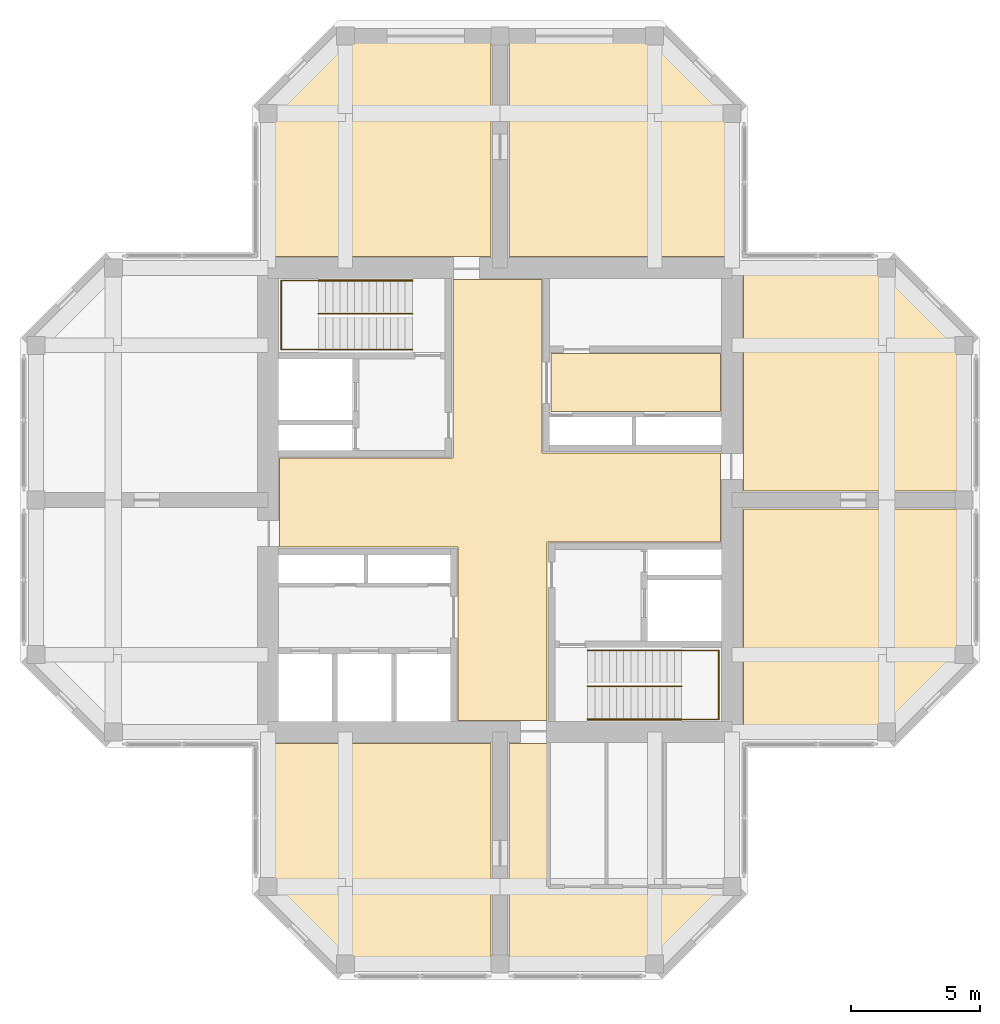
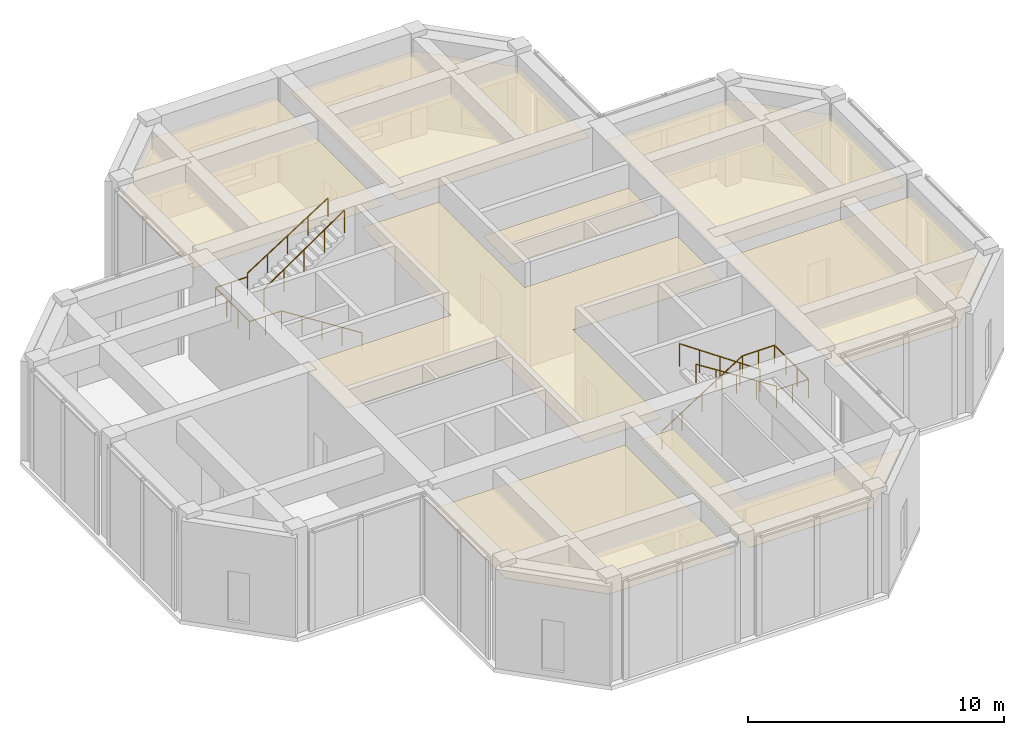
# One storey, part 8 of 8: 8 coverings, 6 railings.
"""IFC4 building model written with IfcOpenShell, lengths in metres."""

from ifc_helpers import new_model, si_unit, direction, frame, origin, origin_2d, place, context, subcontext, project, spatial, polyline, circle, outline, extrude, material, layer, layer_set, type_object, element, save


model = new_model("IFC4")

# Units and contexts
model_context = context("Model", 3, precision=1e-05, world=origin(), true_north=direction((0.0, 1.0)))
body_context = subcontext(model_context, "Body", "Model", "MODEL_VIEW")
ifc_project = project(units=[si_unit("LENGTHUNIT", "METRE"), si_unit("AREAUNIT", "SQUARE_METRE"), si_unit("VOLUMEUNIT", "CUBIC_METRE"), si_unit("PLANEANGLEUNIT", "RADIAN"), si_unit("MASSUNIT", "GRAM", prefix="KILO")], contexts=[model_context])

# Site, building, storey
site_placement = place(None, origin())
site = spatial("IfcSite", under=ifc_project, at=site_placement, CompositionType="ELEMENT")
building_placement = place(site_placement, origin())
building = spatial("IfcBuilding", under=site, at=building_placement, Name="Torre Cruceta", CompositionType="ELEMENT")
storey_placement = place(building_placement, frame((0.0, 0.0, 288.300048828125)))
storey = spatial("IfcBuildingStorey", under=building, at=storey_placement, Name="L75", CompositionType="ELEMENT", Elevation=288.300048828125)

# Railings
ifc_material_1 = material(Name="Stainless steel 1.4401", Category="steel")
railing_type_1 = type_object("IfcRailingType", Name="HANDRAIL 900", PredefinedType="HANDRAIL", material=ifc_material_1)
railing_1_placement = place(storey_placement, frame((-3.39990234375, 5.8349609375, 0.178466796875)))
element("IfcRailing", 1, at=railing_1_placement, inside=storey, type_object=railing_type_1, Name="Handrail HR1 ST1 L75", PredefinedType="HANDRAIL", context=body_context, shape_type="SweptSolid", body=[
    extrude(circle(Radius=0.02392578125, at=origin_2d()), frame((0.0, 0.0, 0.8759765625), z_axis=(-0.843127859045, 0.0, 0.537713132908), x_axis=(0.0, -1.0, 0.0)), (0.0, 0.0, 1.0), 4.3173828125),
    extrude(circle(Radius=0.02392578125, at=origin_2d()), frame((-3.64013671875, 0.0, 3.197265625), z_axis=(-1.0, 0.0, 0.0), x_axis=(0.0, -1.0, 0.0)), (0.0, 0.0, 1.0), 1.449951171875),
    extrude(circle(Radius=0.02392578125, at=origin_2d()), frame((-5.090087890625, 0.0, 3.197265625), z_axis=(0.0, 1.0, 0.0), x_axis=(-1.0, 0.0, 0.0)), (0.0, 0.0, 1.0), 2.679931640625),
    extrude(circle(Radius=0.02392578125, at=origin_2d()), frame((-5.090087890625, 2.679931640625, 3.197265625), z_axis=(1.0, 0.0, 0.0), x_axis=(0.0, 1.0, 0.0)), (0.0, 0.0, 1.0), 1.449951171875),
    extrude(circle(Radius=0.02099609375, at=origin_2d()), origin(), (0.0, 0.0, 1.0), 0.851806640625),
    extrude(circle(Radius=0.02099609375, at=origin_2d()), frame((-0.91015625, 0.0, 0.580322265625)), (0.0, 0.0, 1.0), 0.851806640625),
    extrude(circle(Radius=0.02099609375, at=origin_2d()), frame((-1.820068359375, 0.0, 1.16064453125)), (0.0, 0.0, 1.0), 0.851806640625),
    extrude(circle(Radius=0.02099609375, at=origin_2d()), frame((-2.72998046875, 0.0, 1.7412109375)), (0.0, 0.0, 1.0), 0.851806640625),
    extrude(circle(Radius=0.02099609375, at=origin_2d()), frame((-3.64013671875, 0.0, 2.321533203125)), (0.0, 0.0, 1.0), 0.851806640625),
    extrude(circle(Radius=0.02099609375, at=origin_2d()), frame((-4.365234375, 0.0, 2.321533203125)), (0.0, 0.0, 1.0), 0.851806640625),
    extrude(circle(Radius=0.02099609375, at=origin_2d()), frame((-5.090087890625, 0.0, 2.321533203125)), (0.0, 0.0, 1.0), 0.851806640625),
    extrude(circle(Radius=0.02099609375, at=origin_2d()), frame((-5.090087890625, 0.893310546875, 2.321533203125)), (0.0, 0.0, 1.0), 0.851806640625),
    extrude(circle(Radius=0.02099609375, at=origin_2d()), frame((-5.090087890625, 1.78662109375, 2.321533203125)), (0.0, 0.0, 1.0), 0.851806640625),
    extrude(circle(Radius=0.02099609375, at=origin_2d()), frame((-5.090087890625, 2.679931640625, 2.321533203125)), (0.0, 0.0, 1.0), 0.851806640625),
    extrude(circle(Radius=0.02099609375, at=origin_2d()), frame((-4.365234375, 2.679931640625, 2.321533203125)), (0.0, 0.0, 1.0), 0.851806640625),
    extrude(circle(Radius=0.02099609375, at=origin_2d()), frame((-3.64013671875, 2.679931640625, 2.321533203125)), (0.0, 0.0, 1.0), 0.851806640625),
])
railing_2_placement = place(storey_placement, frame((-7.0400390625, 8.514892578125, 2.678466796875)))
element("IfcRailing", 2, at=railing_2_placement, inside=storey, type_object=railing_type_1, Name="Handrail HR1 ST1 L75", PredefinedType="HANDRAIL", context=body_context, shape_type="SweptSolid", body=[
    extrude(circle(Radius=0.02392578125, at=origin_2d()), frame((0.0, 0.0, 0.8759765625), z_axis=(0.843127859045, 0.0, 0.537713132908), x_axis=(0.0, 1.0, 0.0)), (0.0, 0.0, 1.0), 4.3173828125),
    extrude(circle(Radius=0.02099609375, at=origin_2d()), origin(), (0.0, 0.0, 1.0), 0.851806640625),
    extrude(circle(Radius=0.02099609375, at=origin_2d()), frame((0.91015625, 0.0, 0.580322265625)), (0.0, 0.0, 1.0), 0.851806640625),
    extrude(circle(Radius=0.02099609375, at=origin_2d()), frame((1.820068359375, 0.0, 1.16064453125)), (0.0, 0.0, 1.0), 0.851806640625),
    extrude(circle(Radius=0.02099609375, at=origin_2d()), frame((2.72998046875, 0.0, 1.7412109375)), (0.0, 0.0, 1.0), 0.851806640625),
    extrude(circle(Radius=0.02099609375, at=origin_2d()), frame((3.64013671875, 0.0, 2.321533203125)), (0.0, 0.0, 1.0), 0.851806640625),
])
railing_3_placement = place(storey_placement, frame((3.39990234375, -5.8349609375, 0.178466796875)))
element("IfcRailing", 3, at=railing_3_placement, inside=storey, type_object=railing_type_1, Name="Handrail HR1 ST2 L75", PredefinedType="HANDRAIL", context=body_context, shape_type="SweptSolid", body=[
    extrude(circle(Radius=0.02392578125, at=origin_2d()), frame((0.0, 0.0, 0.8759765625), z_axis=(0.843127859045, 0.0, 0.537713132908), x_axis=(0.0, 1.0, 0.0)), (0.0, 0.0, 1.0), 4.3173828125),
    extrude(circle(Radius=0.02392578125, at=origin_2d()), frame((3.64013671875, 0.0, 3.197265625), z_axis=(1.0, 0.0, 0.0), x_axis=(0.0, 1.0, 0.0)), (0.0, 0.0, 1.0), 1.449951171875),
    extrude(circle(Radius=0.02392578125, at=origin_2d()), frame((5.090087890625, 0.0, 3.197265625), z_axis=(0.0, -1.0, 0.0), x_axis=(1.0, 0.0, 0.0)), (0.0, 0.0, 1.0), 2.679931640625),
    extrude(circle(Radius=0.02392578125, at=origin_2d()), frame((5.090087890625, -2.679931640625, 3.197265625), z_axis=(-1.0, 0.0, 0.0), x_axis=(0.0, -1.0, 0.0)), (0.0, 0.0, 1.0), 1.449951171875),
    extrude(circle(Radius=0.02099609375, at=origin_2d()), origin(), (0.0, 0.0, 1.0), 0.851806640625),
    extrude(circle(Radius=0.02099609375, at=origin_2d()), frame((0.91015625, 0.0, 0.580322265625)), (0.0, 0.0, 1.0), 0.851806640625),
    extrude(circle(Radius=0.02099609375, at=origin_2d()), frame((1.820068359375, 0.0, 1.16064453125)), (0.0, 0.0, 1.0), 0.851806640625),
    extrude(circle(Radius=0.02099609375, at=origin_2d()), frame((2.72998046875, 0.0, 1.7412109375)), (0.0, 0.0, 1.0), 0.851806640625),
    extrude(circle(Radius=0.02099609375, at=origin_2d()), frame((3.64013671875, 0.0, 2.321533203125)), (0.0, 0.0, 1.0), 0.851806640625),
    extrude(circle(Radius=0.02099609375, at=origin_2d()), frame((4.365234375, 0.0, 2.321533203125)), (0.0, 0.0, 1.0), 0.851806640625),
    extrude(circle(Radius=0.02099609375, at=origin_2d()), frame((5.090087890625, 0.0, 2.321533203125)), (0.0, 0.0, 1.0), 0.851806640625),
    extrude(circle(Radius=0.02099609375, at=origin_2d()), frame((5.090087890625, -0.893310546875, 2.321533203125)), (0.0, 0.0, 1.0), 0.851806640625),
    extrude(circle(Radius=0.02099609375, at=origin_2d()), frame((5.090087890625, -1.78662109375, 2.321533203125)), (0.0, 0.0, 1.0), 0.851806640625),
    extrude(circle(Radius=0.02099609375, at=origin_2d()), frame((5.090087890625, -2.679931640625, 2.321533203125)), (0.0, 0.0, 1.0), 0.851806640625),
    extrude(circle(Radius=0.02099609375, at=origin_2d()), frame((4.365234375, -2.679931640625, 2.321533203125)), (0.0, 0.0, 1.0), 0.851806640625),
    extrude(circle(Radius=0.02099609375, at=origin_2d()), frame((3.64013671875, -2.679931640625, 2.321533203125)), (0.0, 0.0, 1.0), 0.851806640625),
])
railing_4_placement = place(storey_placement, frame((7.0400390625, -8.514892578125, 2.678466796875)))
element("IfcRailing", 4, at=railing_4_placement, inside=storey, type_object=railing_type_1, Name="Handrail HR1 ST2 L75", PredefinedType="HANDRAIL", context=body_context, shape_type="SweptSolid", body=[
    extrude(circle(Radius=0.02392578125, at=origin_2d()), frame((0.0, 0.0, 0.8759765625), z_axis=(-0.843127859045, 0.0, 0.537713132908), x_axis=(0.0, -1.0, 0.0)), (0.0, 0.0, 1.0), 4.3173828125),
    extrude(circle(Radius=0.02099609375, at=origin_2d()), origin(), (0.0, 0.0, 1.0), 0.851806640625),
    extrude(circle(Radius=0.02099609375, at=origin_2d()), frame((-0.91015625, 0.0, 0.580322265625)), (0.0, 0.0, 1.0), 0.851806640625),
    extrude(circle(Radius=0.02099609375, at=origin_2d()), frame((-1.820068359375, 0.0, 1.16064453125)), (0.0, 0.0, 1.0), 0.851806640625),
    extrude(circle(Radius=0.02099609375, at=origin_2d()), frame((-2.72998046875, 0.0, 1.7412109375)), (0.0, 0.0, 1.0), 0.851806640625),
    extrude(circle(Radius=0.02099609375, at=origin_2d()), frame((-3.64013671875, 0.0, 2.321533203125)), (0.0, 0.0, 1.0), 0.851806640625),
])
ifc_material_2 = material(Name="Steel S275", Category="steel")
railing_type_2 = type_object("IfcRailingType", Name="STAIR GUARD 1100", PredefinedType="GUARDRAIL", material=ifc_material_2)
railing_5_placement = place(storey_placement, frame((-7.0400390625, 7.22509765625, 2.5)))
element("IfcRailing", 5, at=railing_5_placement, inside=storey, type_object=railing_type_2, Name="Stair guard GR2 ST1 L75", PredefinedType="GUARDRAIL", context=body_context, shape_type="SweptSolid", body=[
    extrude(circle(Radius=0.02392578125, at=origin_2d()), frame((0.0, 0.0, 1.076171875), z_axis=(0.824316058549, 0.0, 0.566129875221), x_axis=(0.0, 1.0, 0.0)), (0.0, 0.0, 1.0), 4.416015625),
    extrude(circle(Radius=0.02099609375, at=origin_2d()), origin(), (0.0, 0.0, 1.0), 1.052001953125),
    extrude(circle(Radius=0.02099609375, at=origin_2d()), frame((0.91015625, 0.0, 0.625)), (0.0, 0.0, 1.0), 1.052001953125),
    extrude(circle(Radius=0.02099609375, at=origin_2d()), frame((1.820068359375, 0.0, 1.25)), (0.0, 0.0, 1.0), 1.052001953125),
    extrude(circle(Radius=0.02099609375, at=origin_2d()), frame((2.72998046875, 0.0, 1.875)), (0.0, 0.0, 1.0), 1.052001953125),
    extrude(circle(Radius=0.02099609375, at=origin_2d()), frame((3.64013671875, 0.0, 2.5)), (0.0, 0.0, 1.0), 1.052001953125),
])
railing_6_placement = place(storey_placement, frame((7.0400390625, -7.22509765625, 2.5)))
element("IfcRailing", 6, at=railing_6_placement, inside=storey, type_object=railing_type_2, Name="Stair guard GR2 ST2 L75", PredefinedType="GUARDRAIL", context=body_context, shape_type="SweptSolid", body=[
    extrude(circle(Radius=0.02392578125, at=origin_2d()), frame((0.0, 0.0, 1.076171875), z_axis=(-0.824316058549, 0.0, 0.566129875221), x_axis=(0.0, -1.0, 0.0)), (0.0, 0.0, 1.0), 4.416015625),
    extrude(circle(Radius=0.02099609375, at=origin_2d()), origin(), (0.0, 0.0, 1.0), 1.052001953125),
    extrude(circle(Radius=0.02099609375, at=origin_2d()), frame((-0.91015625, 0.0, 0.625)), (0.0, 0.0, 1.0), 1.052001953125),
    extrude(circle(Radius=0.02099609375, at=origin_2d()), frame((-1.820068359375, 0.0, 1.25)), (0.0, 0.0, 1.0), 1.052001953125),
    extrude(circle(Radius=0.02099609375, at=origin_2d()), frame((-2.72998046875, 0.0, 1.875)), (0.0, 0.0, 1.0), 1.052001953125),
    extrude(circle(Radius=0.02099609375, at=origin_2d()), frame((-3.64013671875, 0.0, 2.5)), (0.0, 0.0, 1.0), 1.052001953125),
])

# Coverings
ifc_material_3 = material(Name="Mineral fibre ceiling tile", Category="gypsum")
ifc_layer = layer(ifc_material_3, 0.02001953125)
ifc_layer_set = layer_set([ifc_layer], Name="Mineral fibre ceiling tile")
covering_type = type_object("IfcCoveringType", Name="SUSPENDED CEILING 20", PredefinedType="CEILING", material=ifc_layer_set)
covering_1_placement = place(storey_placement, frame((0.0, 0.0, 3.8798828125)))
element("IfcCovering", 7, at=covering_1_placement, inside=storey, type_object=covering_type, Name="Ceiling L75-002", PredefinedType="CEILING", context=body_context, shape_type="SweptSolid", body=[
    extrude(outline(polyline([(-1.625, -8.550048828125), (-1.625, -1.824951171875), (-8.550048828125, -1.824951171875), (-8.550048828125, 1.625), (-1.824951171875, 1.625), (-1.824951171875, 8.550048828125), (1.625, 8.550048828125), (1.625, 1.824951171875), (8.550048828125, 1.824951171875), (8.550048828125, -1.625), (1.824951171875, -1.625), (1.824951171875, -8.550048828125), (-1.625, -8.550048828125)])), origin(), (0.0, 0.0, 1.0), 0.02001953125),
])
covering_2_placement = place(storey_placement, frame((0.0, 0.0, 3.8798828125)))
element("IfcCovering", 8, at=covering_2_placement, inside=storey, type_object=covering_type, Name="Ceiling L75-003", PredefinedType="CEILING", context=body_context, shape_type="SweptSolid", body=[
    extrude(outline(polyline([(1.97509765625, 3.425048828125), (1.97509765625, 5.675048828125), (8.550048828125, 5.675048828125), (8.550048828125, 3.425048828125), (1.97509765625, 3.425048828125)])), origin(), (0.0, 0.0, 1.0), 0.02001953125),
])
covering_3_placement = place(storey_placement, frame((0.0, 0.0, 3.8798828125)))
element("IfcCovering", 9, at=covering_3_placement, inside=storey, type_object=covering_type, Name="Ceiling L75-020", PredefinedType="CEILING", context=body_context, shape_type="SweptSolid", body=[
    extrude(outline(polyline([(-8.949951171875, 9.449951171875), (-8.949951171875, 14.979248046875), (-5.979248046875, 17.949951171875), (-0.35009765625, 17.949951171875), (-0.35009765625, 9.449951171875), (-8.949951171875, 9.449951171875)])), origin(), (0.0, 0.0, 1.0), 0.02001953125),
])
covering_4_placement = place(storey_placement, frame((0.0, 0.0, 3.8798828125)))
element("IfcCovering", 10, at=covering_4_placement, inside=storey, type_object=covering_type, Name="Ceiling L75-021", PredefinedType="CEILING", context=body_context, shape_type="SweptSolid", body=[
    extrude(outline(polyline([(5.979248046875, 17.949951171875), (8.949951171875, 14.979248046875), (8.949951171875, 9.449951171875), (0.35009765625, 9.449951171875), (0.35009765625, 17.949951171875), (5.979248046875, 17.949951171875)])), origin(), (0.0, 0.0, 1.0), 0.02001953125),
])
covering_5_placement = place(storey_placement, frame((0.0, 0.0, 3.8798828125)))
element("IfcCovering", 11, at=covering_5_placement, inside=storey, type_object=covering_type, Name="Ceiling L75-022", PredefinedType="CEILING", context=body_context, shape_type="SweptSolid", body=[
    extrude(outline(polyline([(9.449951171875, 8.949951171875), (14.979248046875, 8.949951171875), (17.949951171875, 5.979248046875), (17.949951171875, 0.35009765625), (9.449951171875, 0.35009765625), (9.449951171875, 8.949951171875)])), origin(), (0.0, 0.0, 1.0), 0.02001953125),
])
covering_6_placement = place(storey_placement, frame((0.0, 0.0, 3.8798828125)))
element("IfcCovering", 12, at=covering_6_placement, inside=storey, type_object=covering_type, Name="Ceiling L75-023", PredefinedType="CEILING", context=body_context, shape_type="SweptSolid", body=[
    extrude(outline(polyline([(17.949951171875, -5.979248046875), (14.979248046875, -8.949951171875), (9.449951171875, -8.949951171875), (9.449951171875, -0.35009765625), (17.949951171875, -0.35009765625), (17.949951171875, -5.979248046875)])), origin(), (0.0, 0.0, 1.0), 0.02001953125),
])
covering_7_placement = place(storey_placement, frame((0.0, 0.0, 3.8798828125)))
element("IfcCovering", 13, at=covering_7_placement, inside=storey, type_object=covering_type, Name="Ceiling L75-027", PredefinedType="CEILING", context=body_context, shape_type="SweptSolid", body=[
    extrude(outline(polyline([(0.35009765625, -17.949951171875), (0.35009765625, -9.449951171875), (1.824951171875, -9.449951171875), (1.824951171875, -15.050048828125), (8.87939453125, -15.050048828125), (5.979248046875, -17.949951171875), (0.35009765625, -17.949951171875)])), origin(), (0.0, 0.0, 1.0), 0.02001953125),
])
covering_8_placement = place(storey_placement, frame((0.0, 0.0, 3.8798828125)))
element("IfcCovering", 14, at=covering_8_placement, inside=storey, type_object=covering_type, Name="Ceiling L75-028", PredefinedType="CEILING", context=body_context, shape_type="SweptSolid", body=[
    extrude(outline(polyline([(-5.979248046875, -17.949951171875), (-8.949951171875, -14.979248046875), (-8.949951171875, -9.449951171875), (-0.35009765625, -9.449951171875), (-0.35009765625, -17.949951171875), (-5.979248046875, -17.949951171875)])), origin(), (0.0, 0.0, 1.0), 0.02001953125),
])

save(model, "model.ifc")
